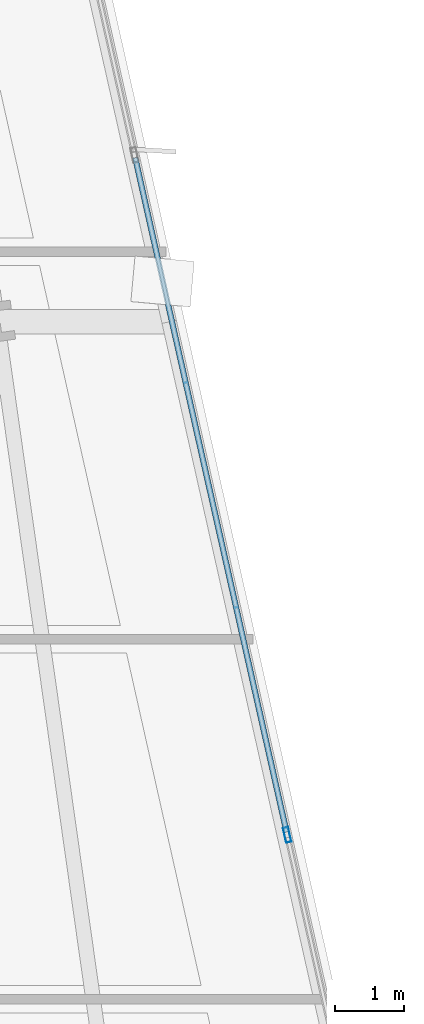
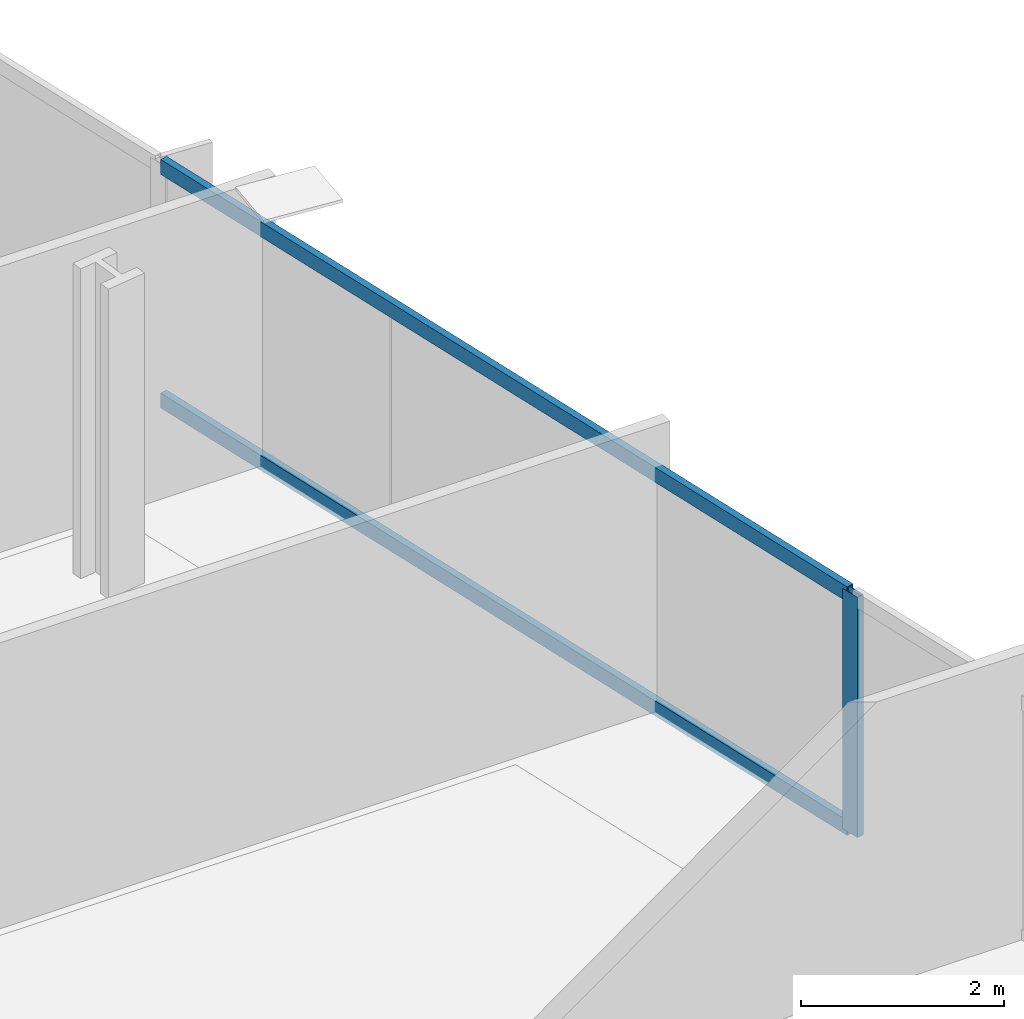
# One storey, part 11 of 32: 3 members, 1 element without a shape of its own.
"""IFC4 building model written with IfcOpenShell, lengths in metres."""

from ifc_helpers import new_model, si_unit, direction, frame, origin, origin_2d, place, context, subcontext, project, spatial, hollow_rectangle, extrude, material, material_profile, profile_set, type_object, element, aggregate, save


model = new_model("IFC4")

# Units and contexts
model_context = context("Model", 3, precision=1e-05, world=origin(), true_north=direction((0.0, 1.0)))
body_context = subcontext(model_context, "Body", "Model", "MODEL_VIEW")
ifc_project = project(units=[si_unit("LENGTHUNIT", "METRE"), si_unit("AREAUNIT", "SQUARE_METRE"), si_unit("VOLUMEUNIT", "CUBIC_METRE"), si_unit("PLANEANGLEUNIT", "RADIAN"), si_unit("MASSUNIT", "GRAM", prefix="KILO")], contexts=[model_context])

# Site, building, storey
site_placement = place(None, origin())
site = spatial("IfcSite", under=ifc_project, at=site_placement, CompositionType="ELEMENT")
building_placement = place(site_placement, origin())
building = spatial("IfcBuilding", under=site, at=building_placement, Name="Haldenkirk Collegiate Tower", CompositionType="ELEMENT")
storey_placement = place(building_placement, frame((0.0, 0.0, 70.199951171875)))
storey = spatial("IfcBuildingStorey", under=building, at=storey_placement, Name="L16", CompositionType="ELEMENT", Elevation=70.199951171875)

# Curtain wall, members
ifc_material = material(Name="Anodised architectural bronze aluminium", Category="aluminium")
curtain_wall_type = type_object("IfcCurtainWallType", Name="CW-SYS1-CONVEX-LOW", PredefinedType="USERDEFINED", material=ifc_material)
curtain_wall_placement = place(storey_placement, origin())
curtain_wall = element("IfcCurtainWall", 1, at=curtain_wall_placement, inside=storey, type_object=curtain_wall_type, Name="L16 Lower tower convex bronze-framed unitised curtain wall", ObjectType="UNITISED CURTAIN WALL", PredefinedType="USERDEFINED")
ifc_material_profile_1 = material_profile(ifc_material, hollow_rectangle(XDim=0.080078125, YDim=0.219970703125, WallThickness=0.0048828125, at=origin_2d()), Name="CW-MUL-1A")
ifc_profile_set_1 = profile_set([ifc_material_profile_1], Name="Anodised architectural bronze aluminium")
member_type_1 = type_object("IfcMemberType", Name="CW-MUL-1A", PredefinedType="MULLION", material=ifc_profile_set_1)
member_1_placement = place(storey_placement, frame((63.942138671875, 22.375, 0.0), z_axis=(0.0, 0.0, 1.0), x_axis=(0.975725911178, 0.218995311037, 0.0)))
member_1 = element("IfcMember", 2, at=member_1_placement, type_object=member_type_1, Name="CW-1A mullion 4", PredefinedType="MULLION", context=body_context, shape_type="SweptSolid", body=[
    extrude(hollow_rectangle(XDim=0.080078125, YDim=0.219970703125, WallThickness=0.0048828125, at=origin_2d()), origin(), (0.0, 0.0, 1.0), 2.89111328125),
])
ifc_material_profile_2 = material_profile(ifc_material, hollow_rectangle(XDim=0.080078125, YDim=0.179931640625, WallThickness=0.0048828125, at=origin_2d()), Name="CW-TRN-1A")
ifc_profile_set_2 = profile_set([ifc_material_profile_2], Name="Anodised architectural bronze aluminium")
member_type_2 = type_object("IfcMemberType", Name="CW-TRN-1A", PredefinedType="USERDEFINED", material=ifc_profile_set_2)
member_2_placement = place(storey_placement, frame((61.745849609375, 32.16015625, 0.0400390625), z_axis=(0.219000351398, -0.975724779888, 0.0), x_axis=(0.975724779888, 0.219000351398, 0.0)))
member_2 = element("IfcMember", 3, at=member_2_placement, type_object=member_type_2, Name="CW-1A transom 3.1", ObjectType="TRANSOM", PredefinedType="USERDEFINED", context=body_context, shape_type="SweptSolid", body=[
    extrude(hollow_rectangle(XDim=0.080078125, YDim=0.179931640625, WallThickness=0.0048828125, at=origin_2d()), origin(), (0.0, 0.0, 1.0), 9.988525390625),
])
member_3_placement = place(storey_placement, frame((61.745849609375, 32.16015625, 2.85107421875), z_axis=(0.219000351398, -0.975724779888, 0.0), x_axis=(0.975724779888, 0.219000351398, 0.0)))
member_3 = element("IfcMember", 4, at=member_3_placement, type_object=member_type_2, Name="CW-1A transom 3.2", ObjectType="TRANSOM", PredefinedType="USERDEFINED", context=body_context, shape_type="SweptSolid", body=[
    extrude(hollow_rectangle(XDim=0.080078125, YDim=0.179931640625, WallThickness=0.0048828125, at=origin_2d()), origin(), (0.0, 0.0, 1.0), 9.988525390625),
])
aggregate(curtain_wall, [member_1, member_2, member_3])

save(model, "model.ifc")
